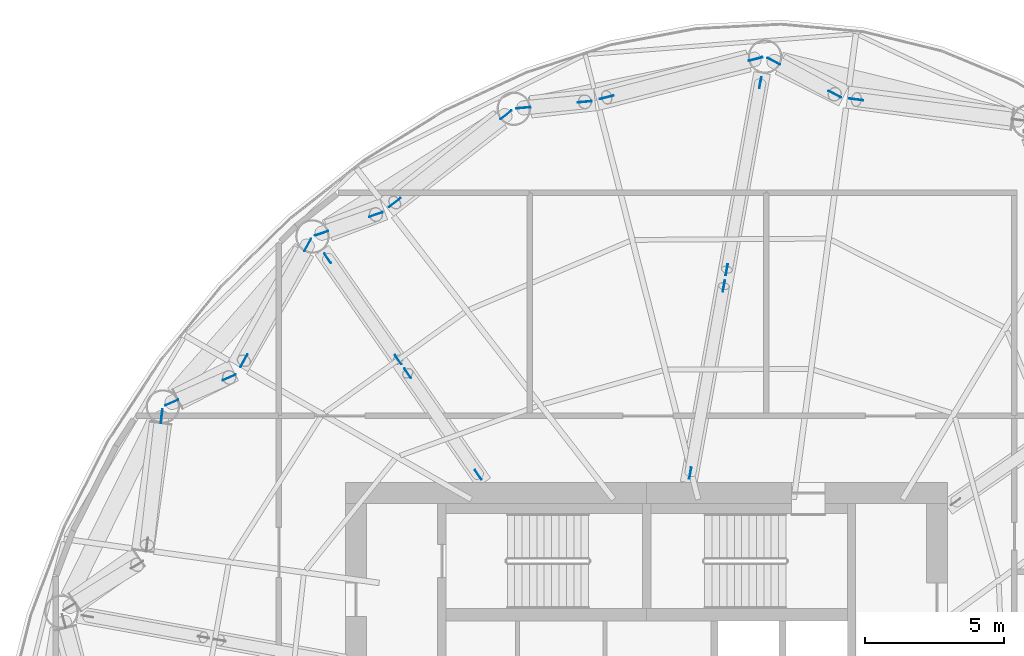
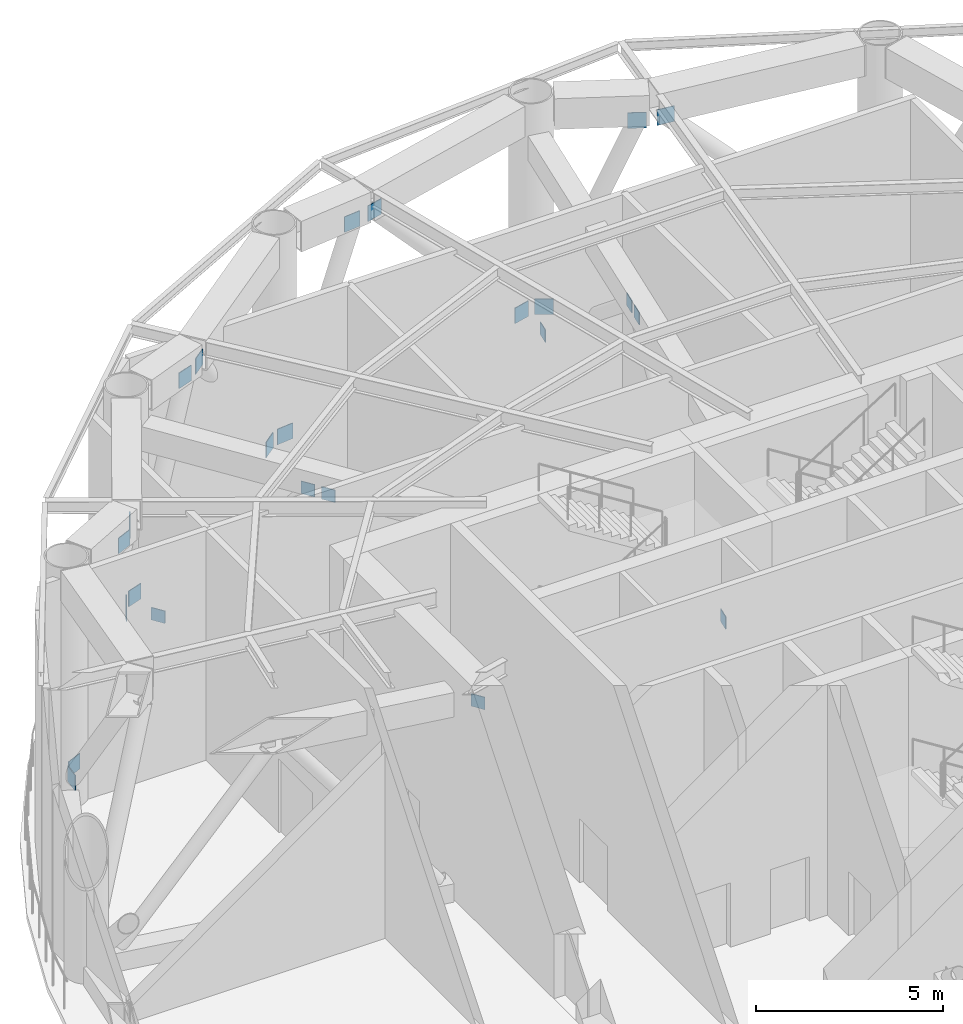
# One storey, part 11 of 15: 24 discrete accessories.
"""IFC4 building model written with IfcOpenShell, lengths in metres."""

from ifc_helpers import new_model, si_unit, direction, frame, origin, origin_2d, place, context, subcontext, project, spatial, rectangle, extrude, element, save


model = new_model("IFC4")

# Units and contexts
model_context = context("Model", 3, precision=1e-05, world=origin(), true_north=direction((0.0, 1.0)))
body_context = subcontext(model_context, "Body", "Model", "MODEL_VIEW")
ifc_project = project(units=[si_unit("LENGTHUNIT", "METRE"), si_unit("AREAUNIT", "SQUARE_METRE"), si_unit("VOLUMEUNIT", "CUBIC_METRE"), si_unit("PLANEANGLEUNIT", "RADIAN"), si_unit("MASSUNIT", "GRAM", prefix="KILO")], contexts=[model_context])

# Site, building, storey
site_placement = place(None, origin())
site = spatial("IfcSite", under=ifc_project, at=site_placement, CompositionType="ELEMENT")
building_placement = place(site_placement, origin())
building = spatial("IfcBuilding", under=site, at=building_placement, Name="Vermilion Reach Broadcast Tower", CompositionType="ELEMENT")
storey_placement = place(building_placement, frame((0.0, 0.0, 246.10009765625)))
storey = spatial("IfcBuildingStorey", under=building, at=storey_placement, Name="L61", CompositionType="ELEMENT", Elevation=246.10009765625)

# Discrete accessories
for number, where, z_axis, x_axis, name in (
    (1, (1.52685546875, 22.15185546875, 6.5859375), (0.0, 0.0, 1.0), (-0.125564070397, -0.992085512557, 0.0), "Gusset plate BT4-D01A head"),
    (2, (-1.442138671875, 23.52490234375, 0.5458984375), (0.0, 0.0, 1.0), (0.474734823903, 0.880128880888, 0.0), "Gusset plate BT4-D01B foot"),
    (3, (0.75, 22.342529296875, 6.5859375), (0.0, 0.0, 1.0), (0.474734823903, 0.880128880888, 0.0), "Gusset plate BT4-D01B head"),
    (4, (-2.089111328125, 23.60400390625, 0.5458984375), (0.0, 0.0, 1.0), (0.248883674419, -0.968533384354, 0.0), "Gusset plate BT4-D02A foot"),
    (5, (-7.433349609375, 22.230712890625, 6.5859375), (0.0, 0.0, 1.0), (0.248883674419, -0.968533384354, 0.0), "Gusset plate BT4-D02A head"),
    (6, (-10.4208984375, 21.852783203125, 0.5458984375), (0.0, 0.0, 1.0), (-0.097228537295, 0.995262081833, 0.0), "Gusset plate BT4-D02B foot"),
    (7, (-8.216552734375, 22.068115234375, 6.5859375), (0.0, 0.0, 1.0), (-0.097228537295, 0.995262081833, 0.0), "Gusset plate BT4-D02B head"),
    (8, (-11.0439453125, 21.60205078125, 0.5458984375), (0.0, 0.0, 1.0), (0.619157237692, -0.785267034208, 0.0), "Gusset plate BT4-D03A foot"),
    (9, (-15.0390625, 18.451904296875, 6.5859375), (0.0, 0.0, 1.0), (0.619157237692, -0.785267034208, 0.0), "Gusset plate BT4-D03A head"),
    (10, (-17.662353515625, 17.35107421875, 0.5458984375), (0.0, 0.0, 1.0), (-0.326330776047, 0.945255639816, 0.0), "Gusset plate BT4-D03B foot"),
    (11, (-15.71484375, 18.0234375, 6.5859375), (0.0, 0.0, 1.0), (-0.326330776047, 0.945255639816, 0.0), "Gusset plate BT4-D03B head"),
    (12, (-18.162353515625, 16.930419921875, 0.5458984375), (0.0, 0.0, 1.0), (0.875626047984, -0.482989672862, 0.0), "Gusset plate BT4-D04A foot"),
    (13, (-20.453125, 12.777099609375, 6.5859375), (0.0, 0.0, 1.0), (0.875626047984, -0.482989672862, 0.0), "Gusset plate BT4-D04A head"),
    (14, (-23.042236328125, 11.2744140625, 0.5458984375), (0.0, 0.0, 1.0), (-0.401095231644, 0.916036361261, 0.0), "Gusset plate BT4-D04B foot"),
    (15, (-20.981689453125, 12.176513671875, 6.5859375), (0.0, 0.0, 1.0), (-0.401095231644, 0.916036361261, 0.0), "Gusset plate BT4-D04B head"),
    (16, (-23.402587890625, 10.7861328125, 0.5458984375), (0.0, 0.0, 1.0), (0.993568861283, -0.113229492137, 0.0), "Gusset plate BT4-D05A foot"),
):
    element("IfcDiscreteAccessory", number, at=place(storey_placement, frame(where, z_axis=z_axis, x_axis=x_axis)), inside=storey, Name=name, PredefinedType="NOTDEFINED", context=body_context, shape_type="SweptSolid", body=[
        extrude(rectangle(XDim=0.02490234375, YDim=0.508056640625, at=origin_2d()), origin(), (0.0, 0.0, 1.0), 0.508056640625),
    ])
for number, where, z_axis, x_axis, name in (
    (17, (-4.431396484375, 8.744384765625, 0.39697265625), (0.0, 0.0, 1.0), (-0.984288193448, 0.176569397796, 0.0), "Gusset plate OR4-02-DA foot"),
    (18, (-3.2275390625, 15.455078125, 5.8466796875), (0.0, 0.0, 1.0), (-0.984288193448, 0.176569397796, 0.0), "Gusset plate OR4-02-DA head"),
    (19, (-1.91796875, 22.756103515625, 0.39697265625), (0.0, 0.0, 1.0), (-0.984288193448, 0.176569397796, 0.0), "Gusset plate OR4-02-DB foot"),
    (20, (-3.12158203125, 16.04541015625, 5.8466796875), (0.0, 0.0, 1.0), (-0.984288193448, 0.176569397796, 0.0), "Gusset plate OR4-02-DB head"),
    (21, (-12.044677734375, 8.687255859375, 0.39697265625), (0.0, 0.0, 1.0), (-0.820850278449, -0.571143432397, 0.0), "Gusset plate OR4-04-DA foot"),
    (22, (-14.576416015625, 12.325927734375, 5.8466796875), (0.0, 0.0, 1.0), (-0.820850278449, -0.571143432397, 0.0), "Gusset plate OR4-04-DA head"),
    (23, (-17.45068359375, 16.45703125, 0.39697265625), (0.0, 0.0, 1.0), (-0.820850278449, -0.571143432397, 0.0), "Gusset plate OR4-04-DB foot"),
    (24, (-14.9189453125, 12.818359375, 5.8466796875), (0.0, 0.0, 1.0), (-0.820850278449, -0.571143432397, 0.0), "Gusset plate OR4-04-DB head"),
):
    element("IfcDiscreteAccessory", number, at=place(storey_placement, frame(where, z_axis=z_axis, x_axis=x_axis)), inside=storey, Name=name, PredefinedType="NOTDEFINED", context=body_context, shape_type="SweptSolid", body=[
        extrude(rectangle(XDim=0.02490234375, YDim=0.406005859375, at=origin_2d()), origin(), (0.0, 0.0, 1.0), 0.406005859375),
    ])

save(model, "model.ifc")
